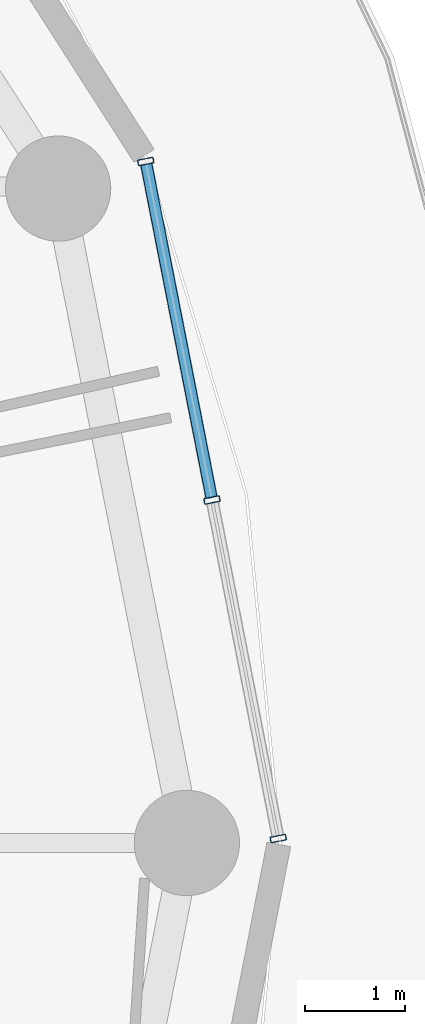
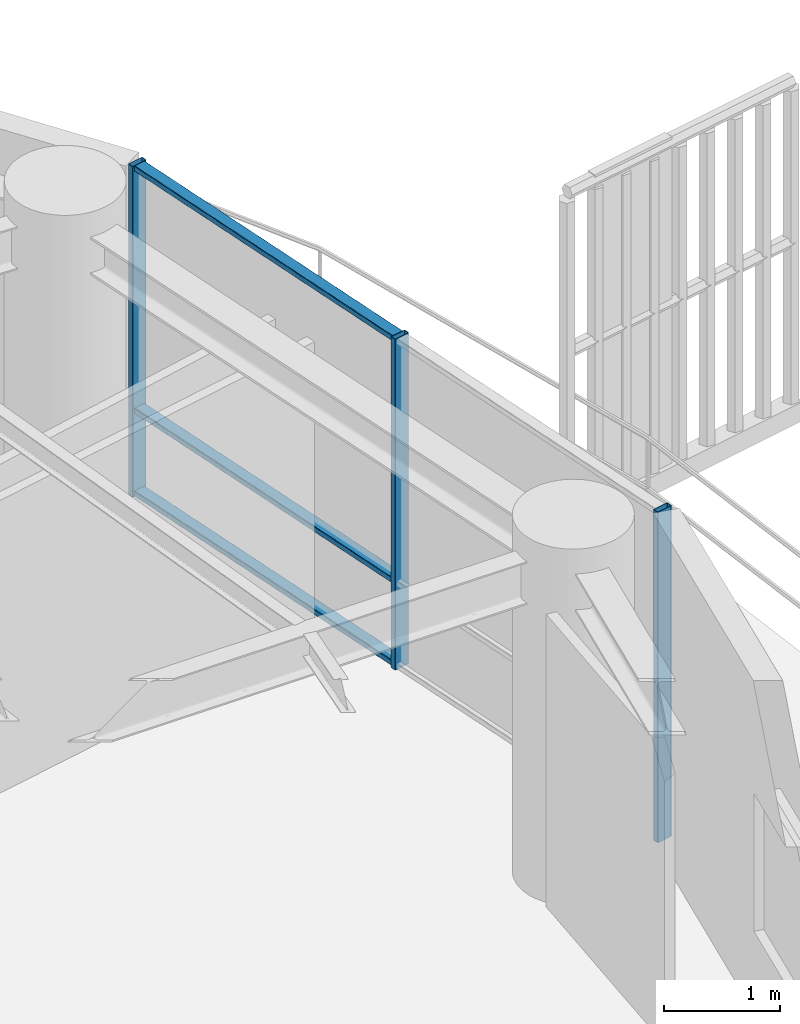
# One storey, part 15 of 30: 6 members, 1 element without a shape of its own.
"""IFC4 building model written with IfcOpenShell, lengths in metres."""

from ifc_helpers import new_model, si_unit, direction, frame, origin, origin_2d, place, context, subcontext, project, spatial, hollow_rectangle, extrude, material, layer, layer_set, material_profile, profile_set, type_object, element, aggregate, save


model = new_model("IFC4")

# Units and contexts
model_context = context("Model", 3, precision=1e-05, world=origin(), true_north=direction((0.0, 1.0)))
body_context = subcontext(model_context, "Body", "Model", "MODEL_VIEW")
ifc_project = project(units=[si_unit("LENGTHUNIT", "METRE"), si_unit("AREAUNIT", "SQUARE_METRE"), si_unit("VOLUMEUNIT", "CUBIC_METRE"), si_unit("PLANEANGLEUNIT", "RADIAN"), si_unit("MASSUNIT", "GRAM", prefix="KILO")], contexts=[model_context])

# Site, building, storey
site_placement = place(None, origin())
site = spatial("IfcSite", under=ifc_project, at=site_placement, CompositionType="ELEMENT")
building_placement = place(site_placement, origin())
building = spatial("IfcBuilding", under=site, at=building_placement, Name="Kelanora Arch Commons", CompositionType="ELEMENT")
storey_placement = place(building_placement, frame((0.0, 0.0, 204.449951171875)))
storey = spatial("IfcBuildingStorey", under=building, at=storey_placement, Name="L52", CompositionType="ELEMENT", Elevation=204.449951171875)

# Curtain wall, members
ifc_material_1 = material(Name="Terracotta ceramic-fritted low-E glass and aluminium", Category="masonry")
ifc_layer = layer(ifc_material_1, 0.175048828125)
ifc_layer_set = layer_set([ifc_layer], Name="Terracotta ceramic-fritted low-E glass and aluminium")
curtain_wall_type = type_object("IfcCurtainWallType", Name="CW-SYS-02", PredefinedType="NOTDEFINED", material=ifc_layer_set)
curtain_wall_placement = place(storey_placement, origin())
curtain_wall = element("IfcCurtainWall", 1, at=curtain_wall_placement, inside=storey, type_object=curtain_wall_type, Name="Unitised Curtain Wall L52-B00", PredefinedType="NOTDEFINED")
ifc_material_2 = material(Name="Powder-coated aluminium terracotta", Category="masonry")
ifc_material_profile_1 = material_profile(ifc_material_2, hollow_rectangle(XDim=0.159912109375, YDim=0.06005859375, WallThickness=0.0048828125, InnerFilletRadius=0.0048828125, OuterFilletRadius=0.010009765625, at=origin_2d()), Name="CWM160x60")
ifc_profile_set_1 = profile_set([ifc_material_profile_1], Name="Powder-coated aluminium terracotta")
member_type_1 = type_object("IfcMemberType", Name="CWM-STD", PredefinedType="MULLION", material=ifc_profile_set_1)
member_1_placement = place(storey_placement, frame((96.19140625, 58.044189453125, 0.0), z_axis=(0.0, 0.0, 1.0), x_axis=(-0.981381438349, -0.192068926335, 0.0)))
member_1 = element("IfcMember", 2, at=member_1_placement, type_object=member_type_1, Name="CW-02 mullion 1", PredefinedType="MULLION", context=body_context, shape_type="SweptSolid", body=[
    extrude(hollow_rectangle(XDim=0.159912109375, YDim=0.06005859375, WallThickness=0.0048828125, InnerFilletRadius=0.0048828125, OuterFilletRadius=0.010009765625, at=origin_2d()), origin(), (0.0, 0.0, 1.0), 3.47509765625),
])
member_2_placement = place(storey_placement, frame((95.530517578125, 61.420166015625, 0.0), z_axis=(0.0, 0.0, 1.0), x_axis=(-0.981381438349, -0.192068926335, 0.0)))
member_2 = element("IfcMember", 3, at=member_2_placement, type_object=member_type_1, Name="CW-02 mullion 2", PredefinedType="MULLION", context=body_context, shape_type="SweptSolid", body=[
    extrude(hollow_rectangle(XDim=0.159912109375, YDim=0.06005859375, WallThickness=0.0048828125, InnerFilletRadius=0.0048828125, OuterFilletRadius=0.010009765625, at=origin_2d()), origin(), (0.0, 0.0, 1.0), 3.47509765625),
])
member_3_placement = place(storey_placement, frame((94.869873046875, 64.796142578125, 0.0), z_axis=(0.0, 0.0, 1.0), x_axis=(-0.981381438349, -0.192068926335, 0.0)))
member_3 = element("IfcMember", 4, at=member_3_placement, type_object=member_type_1, Name="CW-02 mullion 3", PredefinedType="MULLION", context=body_context, shape_type="SweptSolid", body=[
    extrude(hollow_rectangle(XDim=0.159912109375, YDim=0.06005859375, WallThickness=0.0048828125, InnerFilletRadius=0.0048828125, OuterFilletRadius=0.010009765625, at=origin_2d()), origin(), (0.0, 0.0, 1.0), 3.47509765625),
])
ifc_material_profile_2 = material_profile(ifc_material_2, hollow_rectangle(XDim=0.1201171875, YDim=0.06005859375, WallThickness=0.0048828125, InnerFilletRadius=0.0048828125, OuterFilletRadius=0.010009765625, at=origin_2d()), Name="CWT120x60")
ifc_profile_set_2 = profile_set([ifc_material_profile_2], Name="Powder-coated aluminium terracotta")
member_type_2 = type_object("IfcMemberType", Name="CWT-STD", PredefinedType="USERDEFINED", material=ifc_profile_set_2)
member_4_placement = place(storey_placement, frame((95.52490234375, 61.44970703125, 0.030029296875), z_axis=(-0.192058488005, 0.981383481207, 0.0), x_axis=(-0.981383481207, -0.192058488005, 0.0)))
member_4 = element("IfcMember", 5, at=member_4_placement, type_object=member_type_2, Name="CW-02 transom 2.1", ObjectType="TRANSOM", PredefinedType="USERDEFINED", context=body_context, shape_type="SweptSolid", body=[
    extrude(hollow_rectangle(XDim=0.1201171875, YDim=0.06005859375, WallThickness=0.0048828125, InnerFilletRadius=0.0048828125, OuterFilletRadius=0.010009765625, at=origin_2d()), origin(), (0.0, 0.0, 1.0), 3.380126953125),
])
member_5_placement = place(storey_placement, frame((95.52490234375, 61.44970703125, 0.900146484375), z_axis=(-0.192058488005, 0.981383481207, 0.0), x_axis=(-0.981383481207, -0.192058488005, 0.0)))
member_5 = element("IfcMember", 6, at=member_5_placement, type_object=member_type_2, Name="CW-02 transom 2.2", ObjectType="TRANSOM", PredefinedType="USERDEFINED", context=body_context, shape_type="SweptSolid", body=[
    extrude(hollow_rectangle(XDim=0.1201171875, YDim=0.06005859375, WallThickness=0.0048828125, InnerFilletRadius=0.0048828125, OuterFilletRadius=0.010009765625, at=origin_2d()), origin(), (0.0, 0.0, 1.0), 3.380126953125),
])
member_6_placement = place(storey_placement, frame((95.52490234375, 61.44970703125, 3.445068359375), z_axis=(-0.192058488005, 0.981383481207, 0.0), x_axis=(-0.981383481207, -0.192058488005, 0.0)))
member_6 = element("IfcMember", 7, at=member_6_placement, type_object=member_type_2, Name="CW-02 transom 2.3", ObjectType="TRANSOM", PredefinedType="USERDEFINED", context=body_context, shape_type="SweptSolid", body=[
    extrude(hollow_rectangle(XDim=0.1201171875, YDim=0.06005859375, WallThickness=0.0048828125, InnerFilletRadius=0.0048828125, OuterFilletRadius=0.010009765625, at=origin_2d()), origin(), (0.0, 0.0, 1.0), 3.380126953125),
])
aggregate(curtain_wall, [member_1, member_2, member_3, member_4, member_5, member_6])

save(model, "model.ifc")
